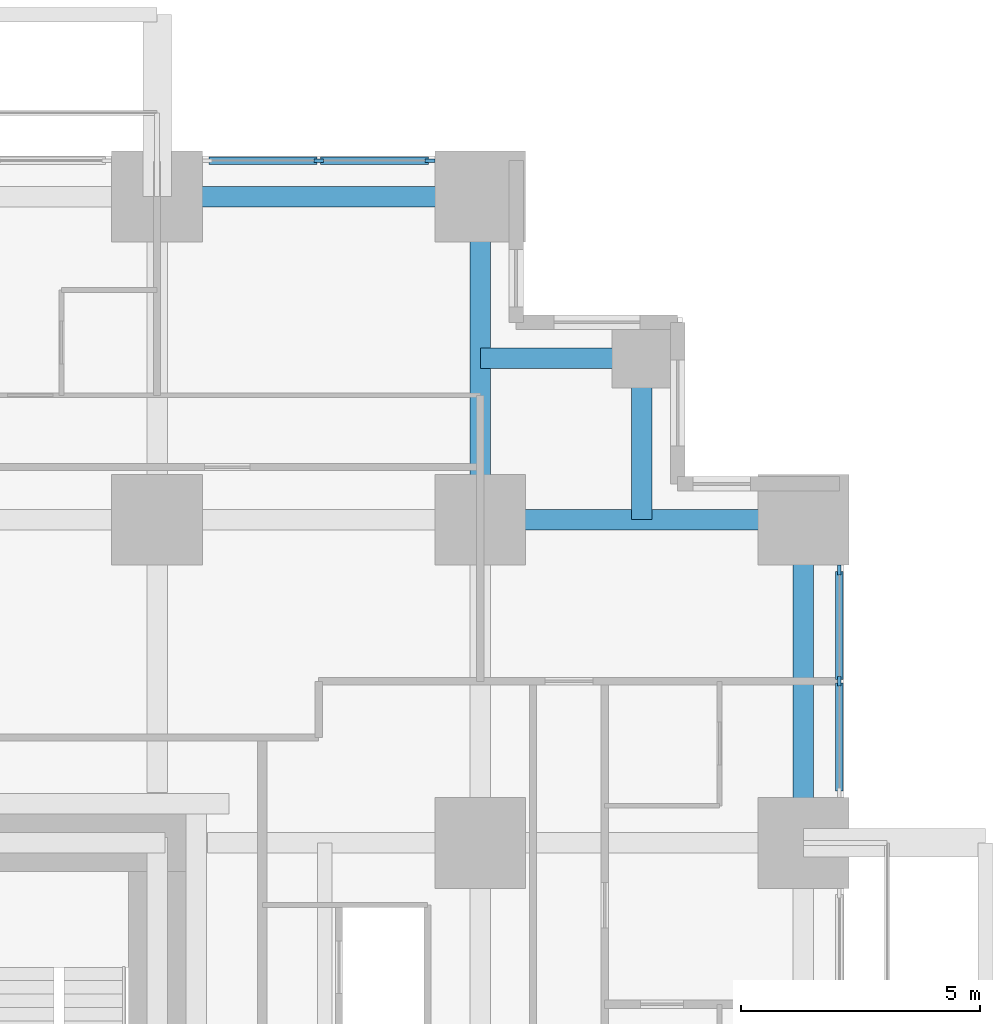
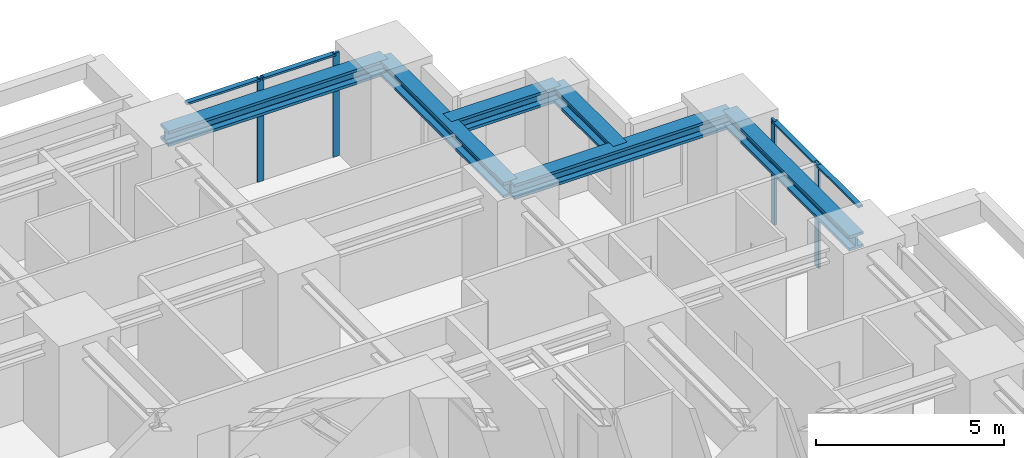
# One storey, part 6 of 14: 8 members, 6 beams, 2 elements without a shape of their own.
"""IFC4 building model written with IfcOpenShell, lengths in metres."""

from ifc_helpers import new_model, si_unit, direction, frame, origin, origin_2d, place, context, subcontext, project, spatial, rectangle, i_section, extrude, material, material_profile, profile_set, type_object, element, aggregate, save


model = new_model("IFC4")

# Units and contexts
model_context = context("Model", 3, precision=1e-05, world=origin(), true_north=direction((0.0, 1.0)))
body_context = subcontext(model_context, "Body", "Model", "MODEL_VIEW")
ifc_project = project(units=[si_unit("LENGTHUNIT", "METRE"), si_unit("AREAUNIT", "SQUARE_METRE"), si_unit("VOLUMEUNIT", "CUBIC_METRE"), si_unit("PLANEANGLEUNIT", "RADIAN"), si_unit("MASSUNIT", "GRAM", prefix="KILO")], contexts=[model_context])

# Site, building, storey
site_placement = place(None, origin())
site = spatial("IfcSite", under=ifc_project, at=site_placement, CompositionType="ELEMENT")
building_placement = place(site_placement, origin())
building = spatial("IfcBuilding", under=site, at=building_placement, Name="Nyansa Garden Tower", CompositionType="ELEMENT")
storey_placement = place(building_placement, frame((0.0, 0.0, 39.60009765625)))
storey = spatial("IfcBuildingStorey", under=building, at=storey_placement, Name="L10", CompositionType="ELEMENT", Elevation=39.60009765625)

# Curtain wall, members
ifc_material_1 = material(Name="Black anodised aluminium, dark tinted double glazing", Category="aluminium")
curtain_wall_type = type_object("IfcCurtainWallType", Name="Inner skin curtain wall ISW-A", PredefinedType="USERDEFINED", material=ifc_material_1)
curtain_wall_1_placement = place(storey_placement, origin())
curtain_wall_1 = element("IfcCurtainWall", 1, at=curtain_wall_1_placement, inside=storey, type_object=curtain_wall_type, Name="Inner skin curtain wall L10 E", ObjectType="UNITISED CURTAIN WALL", PredefinedType="USERDEFINED")
ifc_material_2 = material(Name="Black anodised aluminium", Category="aluminium")
ifc_material_profile_1 = material_profile(ifc_material_2, rectangle(XDim=0.06494140625, YDim=0.199951171875, at=origin_2d()), Name="Mullion 200x65")
ifc_profile_set_1 = profile_set([ifc_material_profile_1], Name="Black anodised aluminium")
member_type_1 = type_object("IfcMemberType", Name="Mullion ISW-A 200x65", PredefinedType="MULLION", material=ifc_profile_set_1)
member_1_placement = place(storey_placement, frame((41.25, 30.375, 0.0), z_axis=(0.0, 0.0, 1.0), x_axis=(-1.0, 0.0, 0.0)))
member_1 = element("IfcMember", 2, at=member_1_placement, type_object=member_type_1, Name="ISW-A mullion 2", PredefinedType="MULLION", context=body_context, shape_type="SweptSolid", body=[
    extrude(rectangle(XDim=0.06494140625, YDim=0.199951171875, at=origin_2d()), origin(), (0.0, 0.0, 1.0), 3.375),
])
member_2_placement = place(storey_placement, frame((41.25, 32.699951171875, 0.0), z_axis=(0.0, 0.0, 1.0), x_axis=(-1.0, 0.0, 0.0)))
member_2 = element("IfcMember", 3, at=member_2_placement, type_object=member_type_1, Name="ISW-A mullion 3", PredefinedType="MULLION", context=body_context, shape_type="SweptSolid", body=[
    extrude(rectangle(XDim=0.06494140625, YDim=0.199951171875, at=origin_2d()), origin(), (0.0, 0.0, 1.0), 3.375),
])

curtain_wall_2_placement = place(storey_placement, origin())
curtain_wall_2 = element("IfcCurtainWall", 4, at=curtain_wall_2_placement, inside=storey, type_object=curtain_wall_type, Name="Inner skin curtain wall L10 N", ObjectType="UNITISED CURTAIN WALL", PredefinedType="USERDEFINED")
member_3_placement = place(storey_placement, frame((32.699951171875, 41.25, 0.0), z_axis=(0.0, 0.0, 1.0), x_axis=(0.0, -1.0, 0.0)))
member_3 = element("IfcMember", 5, at=member_3_placement, type_object=member_type_1, Name="ISW-A mullion 1", PredefinedType="MULLION", context=body_context, shape_type="SweptSolid", body=[
    extrude(rectangle(XDim=0.06494140625, YDim=0.199951171875, at=origin_2d()), origin(), (0.0, 0.0, 1.0), 3.375),
])
member_4_placement = place(storey_placement, frame((30.375, 41.25, 0.0), z_axis=(0.0, 0.0, 1.0), x_axis=(0.0, -1.0, 0.0)))
member_4 = element("IfcMember", 6, at=member_4_placement, type_object=member_type_1, Name="ISW-A mullion 2", PredefinedType="MULLION", context=body_context, shape_type="SweptSolid", body=[
    extrude(rectangle(XDim=0.06494140625, YDim=0.199951171875, at=origin_2d()), origin(), (0.0, 0.0, 1.0), 3.375),
])

# Beams
ifc_material_3 = material(Name="Steel S355", Category="steel")
ifc_material_profile_2 = material_profile(ifc_material_3, i_section(OverallWidth=0.431884765625, OverallDepth=0.498046875, WebThickness=0.0556640625, FlangeThickness=0.0888671875, FilletRadius=0.014892578125, at=origin_2d()), Name="HD 400x744")
ifc_profile_set_2 = profile_set([ifc_material_profile_2], Name="Steel S355")
beam_type_1 = type_object("IfcBeamType", Name="Steel beam SBA1-744 HD 400x744", PredefinedType="BEAM", material=ifc_profile_set_2)
for number, where, z_axis, x_axis, name in (
    (7, (33.75, 33.75, 3.1259765625), (0.0, 1.0, 0.0), (-1.0, 0.0, 0.0), "Steel beam 7/J-7/K L11"),
    (8, (33.75, 33.75, 3.1259765625), (1.0, 0.0, 0.0), (0.0, 1.0, 0.0), "Steel beam 7/J-8/J L11"),
):
    element("IfcBeam", number, at=place(storey_placement, frame(where, z_axis=z_axis, x_axis=x_axis)), inside=storey, type_object=beam_type_1, Name=name, PredefinedType="BEAM", context=body_context, shape_type="SweptSolid", body=[
        extrude(i_section(OverallWidth=0.431884765625, OverallDepth=0.498046875, WebThickness=0.0556640625, FlangeThickness=0.0888671875, FilletRadius=0.014892578125, at=origin_2d()), origin(), (0.0, 0.0, 1.0), 6.75),
    ])
ifc_material_4 = material(Name="Steel S355", Category="steel")
ifc_material_profile_3 = material_profile(ifc_material_4, i_section(OverallWidth=0.431884765625, OverallDepth=0.498046875, WebThickness=0.0556640625, FlangeThickness=0.0888671875, FilletRadius=0.014892578125, at=origin_2d()), Name="HD 400x744")
ifc_profile_set_3 = profile_set([ifc_material_profile_3], Name="Steel S355")
beam_type_2 = type_object("IfcBeamType", Name="Steel beam SEBA-744 HD 400x744", PredefinedType="BEAM", material=ifc_profile_set_3)
for number, where, z_axis, x_axis, name in (
    (9, (27.0, 40.5, 3.1259765625), (1.0, 0.0, 0.0), (0.0, 1.0, 0.0), "Steel edge beam 6/K-7/K L11"),
    (10, (40.5, 27.0, 3.1259765625), (0.0, 1.0, 0.0), (-1.0, 0.0, 0.0), "Steel edge beam 8/H-8/J L11"),
):
    element("IfcBeam", number, at=place(storey_placement, frame(where, z_axis=z_axis, x_axis=x_axis)), inside=storey, type_object=beam_type_2, Name=name, PredefinedType="BEAM", context=body_context, shape_type="SweptSolid", body=[
        extrude(i_section(OverallWidth=0.431884765625, OverallDepth=0.498046875, WebThickness=0.0556640625, FlangeThickness=0.0888671875, FilletRadius=0.014892578125, at=origin_2d()), origin(), (0.0, 0.0, 1.0), 6.75),
    ])
ifc_material_5 = material(Name="Steel S355", Category="steel")
ifc_material_profile_4 = material_profile(ifc_material_5, i_section(OverallWidth=0.431884765625, OverallDepth=0.498046875, WebThickness=0.0556640625, FlangeThickness=0.0888671875, FilletRadius=0.014892578125, at=origin_2d()), Name="HD 400x744")
ifc_profile_set_4 = profile_set([ifc_material_profile_4], Name="Steel S355")
beam_type_3 = type_object("IfcBeamType", Name="Steel beam SSB1-744 HD 400x744", PredefinedType="BEAM", material=ifc_profile_set_4)
for number, where, z_axis, x_axis, name in (
    (11, (37.125, 37.125, 3.1259765625), (0.0, -1.0, 0.0), (1.0, 0.0, 0.0), "Steel step beam 37.125/37.125 L11"),
    (12, (37.125, 37.125, 3.1259765625), (-1.0, 0.0, 0.0), (0.0, -1.0, 0.0), "Steel step beam 37.125/37.125 L11"),
):
    element("IfcBeam", number, at=place(storey_placement, frame(where, z_axis=z_axis, x_axis=x_axis)), inside=storey, type_object=beam_type_3, Name=name, PredefinedType="BEAM", context=body_context, shape_type="SweptSolid", body=[
        extrude(i_section(OverallWidth=0.431884765625, OverallDepth=0.498046875, WebThickness=0.0556640625, FlangeThickness=0.0888671875, FilletRadius=0.014892578125, at=origin_2d()), origin(), (0.0, 0.0, 1.0), 3.375),
    ])

# Member
ifc_material_6 = material(Name="Black anodised aluminium", Category="aluminium")
ifc_material_profile_5 = material_profile(ifc_material_6, rectangle(XDim=0.14990234375, YDim=0.06494140625, at=origin_2d()), Name="Transom 150x65")
ifc_profile_set_5 = profile_set([ifc_material_profile_5], Name="Black anodised aluminium")
member_type_2 = type_object("IfcMemberType", Name="Transom ISW-A 150x65", PredefinedType="USERDEFINED", material=ifc_profile_set_5)
member_5_placement = place(storey_placement, frame((41.25, 28.08251953125, 3.34228515625), z_axis=(0.0, 1.0, 0.0), x_axis=(-1.0, 0.0, 0.0)))
member_5 = element("IfcMember", 13, at=member_5_placement, type_object=member_type_2, Name="ISW-A transom 1", ObjectType="TRANSOM", PredefinedType="USERDEFINED", context=body_context, shape_type="SweptSolid", body=[
    extrude(rectangle(XDim=0.14990234375, YDim=0.06494140625, at=origin_2d()), origin(), (0.0, 0.0, 1.0), 2.260009765625),
])

member_6_placement = place(storey_placement, frame((41.25, 30.407470703125, 3.34228515625), z_axis=(0.0, 1.0, 0.0), x_axis=(-1.0, 0.0, 0.0)))
member_6 = element("IfcMember", 14, at=member_6_placement, type_object=member_type_2, Name="ISW-A transom 2", ObjectType="TRANSOM", PredefinedType="USERDEFINED", context=body_context, shape_type="SweptSolid", body=[
    extrude(rectangle(XDim=0.14990234375, YDim=0.06494140625, at=origin_2d()), origin(), (0.0, 0.0, 1.0), 2.260009765625),
])

aggregate(curtain_wall_1, [member_1, member_2, member_5, member_6])

member_7_placement = place(storey_placement, frame((32.66748046875, 41.25, 3.34228515625), z_axis=(-1.0, 0.0, 0.0), x_axis=(0.0, -1.0, 0.0)))
member_7 = element("IfcMember", 15, at=member_7_placement, type_object=member_type_2, Name="ISW-A transom 1", ObjectType="TRANSOM", PredefinedType="USERDEFINED", context=body_context, shape_type="SweptSolid", body=[
    extrude(rectangle(XDim=0.14990234375, YDim=0.06494140625, at=origin_2d()), origin(), (0.0, 0.0, 1.0), 2.260009765625),
])

member_8_placement = place(storey_placement, frame((30.342529296875, 41.25, 3.34228515625), z_axis=(-1.0, 0.0, 0.0), x_axis=(0.0, -1.0, 0.0)))
member_8 = element("IfcMember", 16, at=member_8_placement, type_object=member_type_2, Name="ISW-A transom 2", ObjectType="TRANSOM", PredefinedType="USERDEFINED", context=body_context, shape_type="SweptSolid", body=[
    extrude(rectangle(XDim=0.14990234375, YDim=0.06494140625, at=origin_2d()), origin(), (0.0, 0.0, 1.0), 2.260009765625),
])

aggregate(curtain_wall_2, [member_3, member_4, member_7, member_8])

save(model, "model.ifc")
